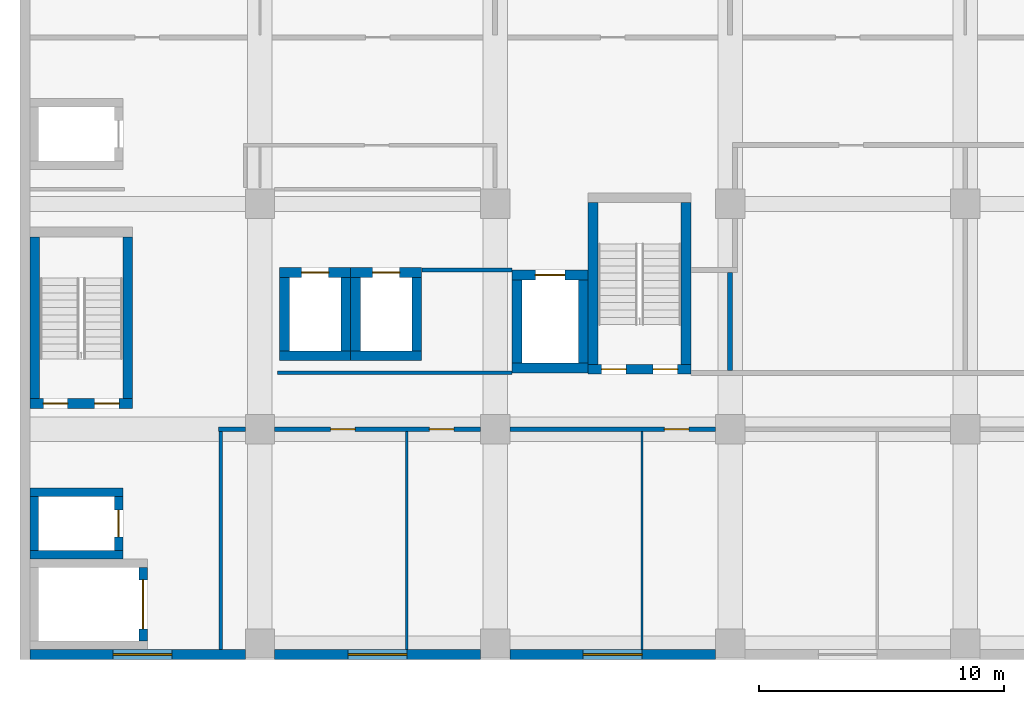
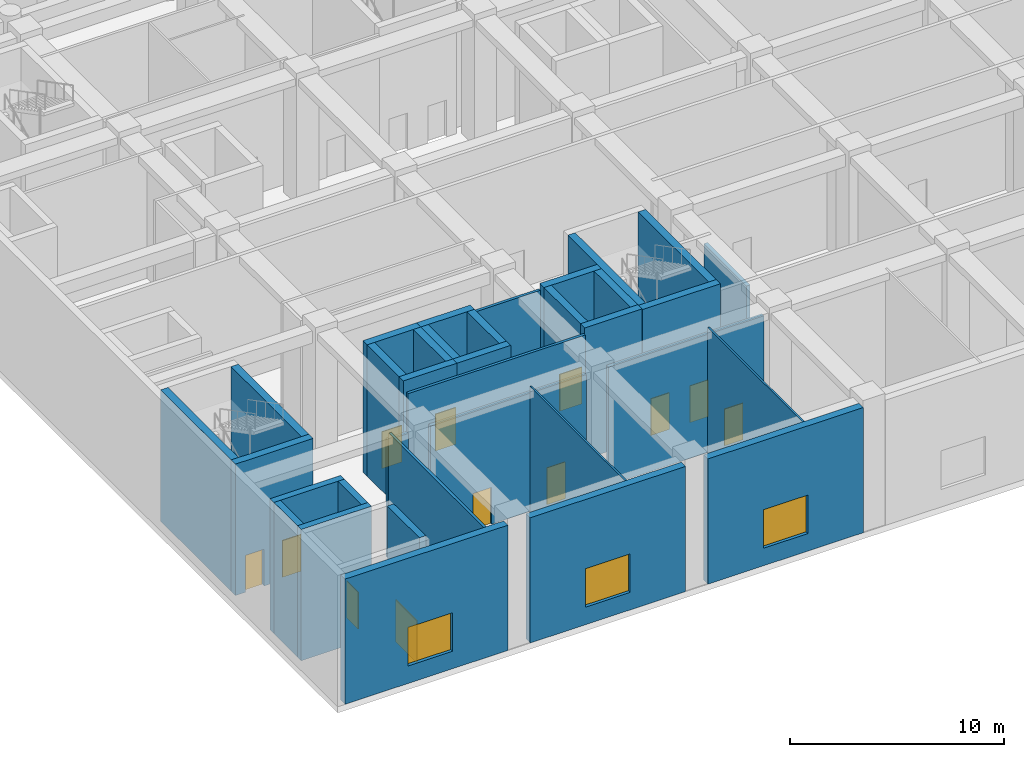
# One storey, part 13 of 36: 35 walls, 12 doors, 3 windows, 15 openings.
"""IFC4 building model written with IfcOpenShell, lengths in metres."""

from ifc_helpers import new_model, si_unit, direction, frame, frame_2d, origin, place, context, subcontext, project, spatial, rectangle, extrude, material, layer, layer_set, layer_usage, type_object, element, fill, save


model = new_model("IFC4")

# Units and contexts
model_context = context("Model", 3, precision=1e-05, world=origin(), true_north=direction((0.0, 1.0)))
body_context = subcontext(model_context, "Body", "Model", "MODEL_VIEW")
ifc_project = project(units=[si_unit("LENGTHUNIT", "METRE"), si_unit("AREAUNIT", "SQUARE_METRE"), si_unit("VOLUMEUNIT", "CUBIC_METRE"), si_unit("PLANEANGLEUNIT", "RADIAN"), si_unit("MASSUNIT", "GRAM", prefix="KILO")], contexts=[model_context])

# Site, building, storey
site_placement = place(None, origin())
site = spatial("IfcSite", under=ifc_project, at=site_placement, CompositionType="ELEMENT")
building_placement = place(site_placement, origin())
building = spatial("IfcBuilding", under=site, at=building_placement, Name="Nzadi Deep Aquarium and Research Tower", CompositionType="ELEMENT")
storey_placement = place(building_placement, frame((0.0, 0.0, 14.199951171875)))
storey = spatial("IfcBuildingStorey", under=building, at=storey_placement, Name="L02", CompositionType="ELEMENT", Elevation=14.199951171875)

# Walls
ifc_material_1 = material(Name="Blockwork masonry", Category="masonry")
ifc_layer_1 = layer(ifc_material_1, 0.10009765625)
ifc_layer_set_1 = layer_set([ifc_layer_1], Name="Blockwork masonry")
wall_type_1 = type_object("IfcWallType", Name="Partition 100 EI 30, 7.15 m high", PredefinedType="PARTITIONING", material=ifc_layer_set_1)
for number, where, z_axis, x_axis, name in (
    (1, (15.60009765625, 0.2060546875, 0.0), (0.0, 0.0, 1.0), (0.0, 1.0, 0.0), "W-Z1-L02-P022"),
    (2, (25.199951171875, 0.2060546875, 0.0), (0.0, 0.0, 1.0), (0.0, 1.0, 0.0), "W-Z1-L02-P030"),
):
    element("IfcWall", number, at=place(storey_placement, frame(where, z_axis=z_axis, x_axis=x_axis)), inside=storey, type_object=wall_type_1, Name=name, PredefinedType="PARTITIONING", context=body_context, shape_type="SweptSolid", body=[
        extrude(rectangle(XDim=8.89404296875, YDim=0.10009765625, at=frame_2d((4.447021484375, 0.0))), origin(), (0.0, 0.0, 1.0), 7.150146484375),
    ])
ifc_material_2 = material(Name="Blockwork masonry", Category="masonry")
ifc_layer_2 = layer(ifc_material_2, 0.14990234375)
ifc_layer_set_2 = layer_set([ifc_layer_2], Name="Blockwork masonry")
wall_type_2 = type_object("IfcWallType", Name="Partition 150 EI 60", PredefinedType="PARTITIONING", material=ifc_layer_set_2)
wall_1_placement = place(storey_placement, frame((8.0, 0.2060546875, 0.0), z_axis=(0.0, 0.0, 1.0), x_axis=(0.0, 1.0, 0.0)))
element("IfcWall", 3, at=wall_1_placement, inside=storey, type_object=wall_type_2, Name="W-Z1-L02-P006", PredefinedType="PARTITIONING", context=body_context, shape_type="SweptSolid", body=[
    extrude(rectangle(XDim=8.89404296875, YDim=0.14990234375, at=frame_2d((4.447021484375, 0.0))), origin(), (0.0, 0.0, 1.0), 7.150146484375),
])
wall_2_placement = place(storey_placement, frame((10.324951171875, 11.5, 0.0), z_axis=(0.0, 0.0, 1.0), x_axis=(1.0, 0.0, 0.0)))
element("IfcWall", 4, at=wall_2_placement, inside=storey, type_object=wall_type_2, Name="W-Z1-L02-P019", PredefinedType="PARTITIONING", context=body_context, shape_type="SweptSolid", body=[
    extrude(rectangle(XDim=9.569091796875, YDim=0.14990234375, at=frame_2d((4.78466796875, 0.0))), origin(), (0.0, 0.0, 1.0), 7.150146484375),
])
wall_3_placement = place(storey_placement, frame((16.2060546875, 15.699951171875, 0.0), z_axis=(0.0, 0.0, 1.0), x_axis=(1.0, 0.0, 0.0)))
element("IfcWall", 5, at=wall_3_placement, inside=storey, type_object=wall_type_2, Name="W-Z1-L02-P023", PredefinedType="PARTITIONING", context=body_context, shape_type="SweptSolid", body=[
    extrude(rectangle(XDim=3.68798828125, YDim=0.14990234375, at=frame_2d((1.843994140625, 0.0))), origin(), (0.0, 0.0, 1.0), 7.150146484375),
])
ifc_material_3 = material(Name="Blockwork masonry", Category="masonry")
ifc_layer_3 = layer(ifc_material_3, 0.199951171875)
ifc_layer_set_3 = layer_set([ifc_layer_3], Name="Blockwork masonry")
wall_type_3 = type_object("IfcWallType", Name="Partition 200 EI 120, 6.75 m high", PredefinedType="PARTITIONING", material=ifc_layer_set_3)
wall_4_placement = place(storey_placement, frame((7.89990234375, 9.199951171875, 0.0), z_axis=(0.0, 0.0, 1.0), x_axis=(1.0, 0.0, 0.0)))
element("IfcWall", 6, at=wall_4_placement, inside=storey, type_object=wall_type_3, Name="W-Z1-L02-P004", PredefinedType="PARTITIONING", context=body_context, shape_type="SweptSolid", body=[
    extrude(rectangle(XDim=1.10009765625, YDim=0.199951171875, at=frame_2d((0.550048828125, 0.0))), origin(), (0.0, 0.0, 1.0), 6.75),
])

# Wall, openings, doors
wall_5_placement = place(storey_placement, frame((10.199951171875, 9.199951171875, 0.0), z_axis=(0.0, 0.0, 1.0), x_axis=(1.0, 0.0, 0.0)))
wall_5 = element("IfcWall", 7, at=wall_5_placement, inside=storey, type_object=wall_type_3, Name="W-Z1-L02-P016", PredefinedType="PARTITIONING", context=body_context, shape_type="SweptSolid", body=[
    extrude(rectangle(XDim=8.400146484375, YDim=0.199951171875, at=frame_2d((4.2001953125, 0.0))), origin(), (0.0, 0.0, 1.0), 6.75),
])
opening_1_placement = place(wall_5_placement, frame((2.284912109375, 0.0, 0.0)))
opening_1 = element("IfcOpeningElement", 8, at=opening_1_placement, cuts=wall_5, Name="Opening D031011", PredefinedType="OPENING", context=body_context, shape_type="SweptSolid", body=[
    extrude(rectangle(XDim=1.0, YDim=2.10009765625, at=frame_2d((0.5, 1.050048828125))), frame((0.0, 0.110107421875, 0.0), z_axis=(0.0, -1.0, 0.0), x_axis=(1.0, 0.0, 0.0)), (0.0, 0.0, 1.0), 0.22021484375),
])
opening_2_placement = place(wall_5_placement, frame((6.31494140625, 0.0, 0.0)))
opening_2 = element("IfcOpeningElement", 9, at=opening_2_placement, cuts=wall_5, Name="Opening D031012", PredefinedType="OPENING", context=body_context, shape_type="SweptSolid", body=[
    extrude(rectangle(XDim=1.0, YDim=2.10009765625, at=frame_2d((0.5, 1.050048828125))), frame((0.0, 0.110107421875, 0.0), z_axis=(0.0, -1.0, 0.0), x_axis=(1.0, 0.0, 0.0)), (0.0, 0.0, 1.0), 0.22021484375),
])
ifc_material_4 = material(Name="Fire-rated steel door", Category="steel")
ifc_layer_4 = layer(ifc_material_4, 0.050048828125)
ifc_layer_set_4 = layer_set([ifc_layer_4], Name="Fire-rated steel door")
door_type_1 = type_object("IfcDoorType", Name="Door 1000x2100 EI 120 single", OperationType="SINGLE_SWING_LEFT", PredefinedType="DOOR", material=ifc_layer_set_4)
door_1_placement = place(opening_1_placement, origin())
door_1 = element("IfcDoor", 10, at=door_1_placement, inside=storey, type_object=door_type_1, Name="D031011", OperationType="SINGLE_SWING_RIGHT", OverallHeight=2.10009765625, OverallWidth=1.0, PredefinedType="DOOR", context=body_context, shape_type="SweptSolid", body=[
    extrude(rectangle(XDim=1.0, YDim=2.10009765625, at=frame_2d((0.5, 1.050048828125))), frame((0.0, 0.02490234375, 0.0), z_axis=(0.0, -1.0, 0.0), x_axis=(1.0, 0.0, 0.0)), (0.0, 0.0, 1.0), 0.050048828125),
])
fill(opening_1, door_1)
door_2_placement = place(opening_2_placement, origin())
door_2 = element("IfcDoor", 11, at=door_2_placement, inside=storey, type_object=door_type_1, Name="D031012", OperationType="SINGLE_SWING_LEFT", OverallHeight=2.10009765625, OverallWidth=1.0, PredefinedType="DOOR", context=body_context, shape_type="SweptSolid", body=[
    extrude(rectangle(XDim=1.0, YDim=2.10009765625, at=frame_2d((0.5, 1.050048828125))), frame((0.0, 0.02490234375, 0.0), z_axis=(0.0, -1.0, 0.0), x_axis=(1.0, 0.0, 0.0)), (0.0, 0.0, 1.0), 0.050048828125),
])
fill(opening_2, door_2)

# Wall, opening, door
wall_6_placement = place(storey_placement, frame((19.800048828125, 9.199951171875, 0.0), z_axis=(0.0, 0.0, 1.0), x_axis=(1.0, 0.0, 0.0)))
wall_6 = element("IfcWall", 12, at=wall_6_placement, inside=storey, type_object=wall_type_3, Name="W-Z1-L02-P028", PredefinedType="PARTITIONING", context=body_context, shape_type="SweptSolid", body=[
    extrude(rectangle(XDim=8.39990234375, YDim=0.199951171875, at=frame_2d((4.199951171875, 0.0))), origin(), (0.0, 0.0, 1.0), 6.75),
])
opening_3_placement = place(wall_6_placement, frame((6.31494140625, 0.0, 0.0)))
opening_3 = element("IfcOpeningElement", 13, at=opening_3_placement, cuts=wall_6, Name="Opening D031013", PredefinedType="OPENING", context=body_context, shape_type="SweptSolid", body=[
    extrude(rectangle(XDim=1.0, YDim=2.10009765625, at=frame_2d((0.5, 1.050048828125))), frame((0.0, 0.110107421875, 0.0), z_axis=(0.0, -1.0, 0.0), x_axis=(1.0, 0.0, 0.0)), (0.0, 0.0, 1.0), 0.22021484375),
])
door_3_placement = place(opening_3_placement, origin())
door_3 = element("IfcDoor", 14, at=door_3_placement, inside=storey, type_object=door_type_1, Name="D031013", OperationType="SINGLE_SWING_LEFT", OverallHeight=2.10009765625, OverallWidth=1.0, PredefinedType="DOOR", context=body_context, shape_type="SweptSolid", body=[
    extrude(rectangle(XDim=1.0, YDim=2.10009765625, at=frame_2d((0.5, 1.050048828125))), frame((0.0, 0.02490234375, 0.0), z_axis=(0.0, -1.0, 0.0), x_axis=(1.0, 0.0, 0.0)), (0.0, 0.0, 1.0), 0.050048828125),
])
fill(opening_3, door_3)

# Wall
wall_7_placement = place(storey_placement, frame((28.800048828125, 11.60009765625, 0.0), z_axis=(0.0, 0.0, 1.0), x_axis=(0.0, 1.0, 0.0)))
element("IfcWall", 15, at=wall_7_placement, inside=storey, type_object=wall_type_3, Name="W-Z1-L02-P035", PredefinedType="PARTITIONING", context=body_context, shape_type="SweptSolid", body=[
    extrude(rectangle(XDim=4.0, YDim=0.199951171875, at=frame_2d((2.0, 0.0))), origin(), (0.0, 0.0, 1.0), 6.75),
])

# Wall, opening, door
ifc_material_5 = material(Name="Concrete C35/45", Category="concrete")
ifc_layer_5 = layer(ifc_material_5, 0.35009765625)
ifc_layer_set_5 = layer_set([ifc_layer_5], Name="Concrete C35/45")
wall_type_4 = type_object("IfcWallType", Name="RC core wall 350, 7.50 to 7.70 m high", PredefinedType="SHEAR", material=ifc_layer_set_5)
wall_8_placement = place(storey_placement, frame((4.824951171875, 0.550048828125, 0.0), z_axis=(0.0, 0.0, 1.0), x_axis=(0.0, 1.0, 0.0)))
wall_8 = element("IfcWall", 16, at=wall_8_placement, inside=storey, type_object=wall_type_4, Name="W-CORE-GL1-L02-E", PredefinedType="SHEAR", context=body_context, shape_type="SweptSolid", body=[
    extrude(rectangle(XDim=3.0, YDim=0.35009765625, at=frame_2d((1.5, 0.0))), origin(), (0.0, 0.0, 1.0), 7.5),
])
opening_4_placement = place(wall_8_placement, frame((0.5, 0.0, 0.0)))
opening_4 = element("IfcOpeningElement", 17, at=opening_4_placement, cuts=wall_8, Name="Opening LD-GL1-L02", PredefinedType="OPENING", context=body_context, shape_type="SweptSolid", body=[
    extrude(rectangle(XDim=2.0, YDim=2.39990234375, at=frame_2d((1.0, 1.199951171875))), frame((0.0, 0.18505859375, 0.0), z_axis=(0.0, -1.0, 0.0), x_axis=(1.0, 0.0, 0.0)), (0.0, 0.0, 1.0), 0.3701171875),
])
ifc_material_6 = material(Name="Stainless steel 1.4301", Category="steel")
door_type_2 = type_object("IfcDoorType", Name="LANDING DOOR 2000x2400", OperationType="DOUBLE_DOOR_SLIDING", PredefinedType="DOOR", material=ifc_material_6)
door_4_placement = place(opening_4_placement, origin())
door_4 = element("IfcDoor", 18, at=door_4_placement, inside=storey, type_object=door_type_2, Name="Landing door GL1 L02", OperationType="DOUBLE_DOOR_SLIDING", OverallHeight=2.39990234375, OverallWidth=2.0, PredefinedType="DOOR", context=body_context, shape_type="SweptSolid", body=[
    extrude(rectangle(XDim=2.0, YDim=2.39990234375, at=frame_2d((1.0, 1.199951171875))), frame((0.0, 0.02490234375, 0.0), z_axis=(0.0, -1.0, 0.0), x_axis=(1.0, 0.0, 0.0)), (0.0, 0.0, 1.0), 0.050048828125),
])
fill(opening_4, door_4)

# Walls
for number, where, z_axis, x_axis, name in (
    (19, (0.199951171875, 4.074951171875, 0.0), (0.0, 0.0, 1.0), (1.0, 0.0, 0.0), "W-CORE-EL1-L02-S"),
    (20, (0.199951171875, 6.625, 0.0), (0.0, 0.0, 1.0), (1.0, 0.0, 0.0), "W-CORE-EL1-L02-N"),
):
    element("IfcWall", number, at=place(storey_placement, frame(where, z_axis=z_axis, x_axis=x_axis)), inside=storey, type_object=wall_type_4, Name=name, PredefinedType="SHEAR", context=body_context, shape_type="SweptSolid", body=[
        extrude(rectangle(XDim=3.800048828125, YDim=0.35009765625, at=frame_2d((1.89990234375, 0.0))), origin(), (0.0, 0.0, 1.0), 7.5),
    ])
wall_9_placement = place(storey_placement, frame((0.375, 4.25, 0.0), z_axis=(0.0, 0.0, 1.0), x_axis=(0.0, 1.0, 0.0)))
element("IfcWall", 21, at=wall_9_placement, inside=storey, type_object=wall_type_4, Name="W-CORE-EL1-L02-W", PredefinedType="SHEAR", context=body_context, shape_type="SweptSolid", body=[
    extrude(rectangle(XDim=2.199951171875, YDim=0.35009765625, at=frame_2d((1.10009765625, 0.0))), origin(), (0.0, 0.0, 1.0), 7.5),
])

# Wall, opening, door
wall_10_placement = place(storey_placement, frame((3.824951171875, 4.25, 0.0), z_axis=(0.0, 0.0, 1.0), x_axis=(0.0, 1.0, 0.0)))
wall_10 = element("IfcWall", 22, at=wall_10_placement, inside=storey, type_object=wall_type_4, Name="W-CORE-EL1-L02-E", PredefinedType="SHEAR", context=body_context, shape_type="SweptSolid", body=[
    extrude(rectangle(XDim=2.199951171875, YDim=0.35009765625, at=frame_2d((1.10009765625, 0.0))), origin(), (0.0, 0.0, 1.0), 7.5),
])
opening_5_placement = place(wall_10_placement, frame((0.550048828125, 0.0, 0.0)))
opening_5 = element("IfcOpeningElement", 23, at=opening_5_placement, cuts=wall_10, Name="Opening LD-EL1-L02", PredefinedType="OPENING", context=body_context, shape_type="SweptSolid", body=[
    extrude(rectangle(XDim=1.10009765625, YDim=2.10009765625, at=frame_2d((0.550048828125, 1.050048828125))), frame((0.0, 0.18505859375, 0.0), z_axis=(0.0, -1.0, 0.0), x_axis=(1.0, 0.0, 0.0)), (0.0, 0.0, 1.0), 0.3701171875),
])
ifc_material_7 = material(Name="Stainless steel 1.4301", Category="steel")
door_type_3 = type_object("IfcDoorType", Name="LANDING DOOR 1100x2100", OperationType="DOUBLE_DOOR_SLIDING", PredefinedType="DOOR", material=ifc_material_7)
door_5_placement = place(opening_5_placement, origin())
door_5 = element("IfcDoor", 24, at=door_5_placement, inside=storey, type_object=door_type_3, Name="Landing door EL1 L02", OperationType="DOUBLE_DOOR_SLIDING", OverallHeight=2.10009765625, OverallWidth=1.10009765625, PredefinedType="DOOR", context=body_context, shape_type="SweptSolid", body=[
    extrude(rectangle(XDim=1.10009765625, YDim=2.10009765625, at=frame_2d((0.550048828125, 1.050048828125))), frame((0.0, 0.02490234375, 0.0), z_axis=(0.0, -1.0, 0.0), x_axis=(1.0, 0.0, 0.0)), (0.0, 0.0, 1.0), 0.050048828125),
])
fill(opening_5, door_5)

# Wall, openings, doors
ifc_material_8 = material(Name="Concrete C35/45", Category="concrete")
ifc_layer_6 = layer(ifc_material_8, 0.39990234375)
ifc_layer_set_6 = layer_set([ifc_layer_6], Name="Concrete C35/45")
wall_type_5 = type_object("IfcWallType", Name="RC core wall 400, 7.50 to 7.70 m high", PredefinedType="SHEAR", material=ifc_layer_set_6)
wall_11_placement = place(storey_placement, frame((0.199951171875, 10.25, 0.0), z_axis=(0.0, 0.0, 1.0), x_axis=(1.0, 0.0, 0.0)))
wall_11 = element("IfcWall", 25, at=wall_11_placement, inside=storey, type_object=wall_type_5, Name="W-CORE-ST-Z1-SW-L02-S", PredefinedType="SHEAR", context=body_context, shape_type="SweptSolid", body=[
    extrude(rectangle(XDim=4.199951171875, YDim=0.39990234375, at=frame_2d((2.10009765625, 0.0))), origin(), (0.0, 0.0, 1.0), 7.5),
])
opening_6_placement = place(wall_11_placement, frame((0.550048828125, 0.0, 0.0)))
opening_6 = element("IfcOpeningElement", 26, at=opening_6_placement, cuts=wall_11, Name="Opening DS-Z1-SW-L02A", PredefinedType="OPENING", context=body_context, shape_type="SweptSolid", body=[
    extrude(rectangle(XDim=1.0, YDim=2.10009765625, at=frame_2d((0.5, 1.050048828125))), frame((0.0, 0.2099609375, 0.0), z_axis=(0.0, -1.0, 0.0), x_axis=(1.0, 0.0, 0.0)), (0.0, 0.0, 1.0), 0.419921875),
])
opening_7_placement = place(wall_11_placement, frame((2.64990234375, 0.0, 0.0)))
opening_7 = element("IfcOpeningElement", 27, at=opening_7_placement, cuts=wall_11, Name="Opening DS-Z1-SW-L02B", PredefinedType="OPENING", context=body_context, shape_type="SweptSolid", body=[
    extrude(rectangle(XDim=1.0, YDim=2.10009765625, at=frame_2d((0.5, 1.050048828125))), frame((0.0, 0.2099609375, 0.0), z_axis=(0.0, -1.0, 0.0), x_axis=(1.0, 0.0, 0.0)), (0.0, 0.0, 1.0), 0.419921875),
])
ifc_material_9 = material(Name="Steel, powder coated", Category="steel")
door_type_4 = type_object("IfcDoorType", Name="STAIR DOOR 1000x2100 EI 60", OperationType="SINGLE_SWING_LEFT", PredefinedType="DOOR", material=ifc_material_9)
door_6_placement = place(opening_6_placement, origin())
door_6 = element("IfcDoor", 28, at=door_6_placement, inside=storey, type_object=door_type_4, Name="Stair door ST-Z1-SW L02 A", OperationType="SINGLE_SWING_RIGHT", OverallHeight=2.10009765625, OverallWidth=1.0, PredefinedType="DOOR", context=body_context, shape_type="SweptSolid", body=[
    extrude(rectangle(XDim=1.0, YDim=2.10009765625, at=frame_2d((0.5, 1.050048828125))), frame((0.0, 0.02490234375, 0.0), z_axis=(0.0, -1.0, 0.0), x_axis=(1.0, 0.0, 0.0)), (0.0, 0.0, 1.0), 0.050048828125),
])
fill(opening_6, door_6)
door_7_placement = place(opening_7_placement, origin())
door_7 = element("IfcDoor", 29, at=door_7_placement, inside=storey, type_object=door_type_4, Name="Stair door ST-Z1-SW L02 B", OperationType="SINGLE_SWING_LEFT", OverallHeight=2.10009765625, OverallWidth=1.0, PredefinedType="DOOR", context=body_context, shape_type="SweptSolid", body=[
    extrude(rectangle(XDim=1.0, YDim=2.10009765625, at=frame_2d((0.5, 1.050048828125))), frame((0.0, 0.02490234375, 0.0), z_axis=(0.0, -1.0, 0.0), x_axis=(1.0, 0.0, 0.0)), (0.0, 0.0, 1.0), 0.050048828125),
])
fill(opening_7, door_7)

# Walls
for number, where, z_axis, x_axis, name in (
    (30, (0.39990234375, 10.449951171875, 0.0), (0.0, 0.0, 1.0), (0.0, 1.0, 0.0), "W-CORE-ST-Z1-SW-L02-W"),
    (31, (4.199951171875, 10.449951171875, 0.0), (0.0, 0.0, 1.0), (0.0, 1.0, 0.0), "W-CORE-ST-Z1-SW-L02-E"),
):
    element("IfcWall", number, at=place(storey_placement, frame(where, z_axis=z_axis, x_axis=x_axis)), inside=storey, type_object=wall_type_5, Name=name, PredefinedType="SHEAR", context=body_context, shape_type="SweptSolid", body=[
        extrude(rectangle(XDim=6.60009765625, YDim=0.39990234375, at=frame_2d((3.300048828125, 0.0))), origin(), (0.0, 0.0, 1.0), 7.5),
    ])

# Wall, openings, doors
wall_12_placement = place(storey_placement, frame((23.0, 11.64990234375, 0.0), z_axis=(0.0, 0.0, 1.0), x_axis=(1.0, 0.0, 0.0)))
wall_12 = element("IfcWall", 32, at=wall_12_placement, inside=storey, type_object=wall_type_5, Name="W-CORE-ST-Z1-SE-L02-S", PredefinedType="SHEAR", context=body_context, shape_type="SweptSolid", body=[
    extrude(rectangle(XDim=4.199951171875, YDim=0.39990234375, at=frame_2d((2.10009765625, 0.0))), origin(), (0.0, 0.0, 1.0), 7.5),
])
opening_8_placement = place(wall_12_placement, frame((0.550048828125, 0.0, 0.0)))
opening_8 = element("IfcOpeningElement", 33, at=opening_8_placement, cuts=wall_12, Name="Opening DS-Z1-SE-L02A", PredefinedType="OPENING", context=body_context, shape_type="SweptSolid", body=[
    extrude(rectangle(XDim=1.0, YDim=2.10009765625, at=frame_2d((0.5, 1.050048828125))), frame((0.0, 0.2099609375, 0.0), z_axis=(0.0, -1.0, 0.0), x_axis=(1.0, 0.0, 0.0)), (0.0, 0.0, 1.0), 0.419921875),
])
opening_9_placement = place(wall_12_placement, frame((2.64990234375, 0.0, 0.0)))
opening_9 = element("IfcOpeningElement", 34, at=opening_9_placement, cuts=wall_12, Name="Opening DS-Z1-SE-L02B", PredefinedType="OPENING", context=body_context, shape_type="SweptSolid", body=[
    extrude(rectangle(XDim=1.0, YDim=2.10009765625, at=frame_2d((0.5, 1.050048828125))), frame((0.0, 0.2099609375, 0.0), z_axis=(0.0, -1.0, 0.0), x_axis=(1.0, 0.0, 0.0)), (0.0, 0.0, 1.0), 0.419921875),
])
door_8_placement = place(opening_8_placement, origin())
door_8 = element("IfcDoor", 35, at=door_8_placement, inside=storey, type_object=door_type_4, Name="Stair door ST-Z1-SE L02 A", OperationType="SINGLE_SWING_RIGHT", OverallHeight=2.10009765625, OverallWidth=1.0, PredefinedType="DOOR", context=body_context, shape_type="SweptSolid", body=[
    extrude(rectangle(XDim=1.0, YDim=2.10009765625, at=frame_2d((0.5, 1.050048828125))), frame((0.0, 0.02490234375, 0.0), z_axis=(0.0, -1.0, 0.0), x_axis=(1.0, 0.0, 0.0)), (0.0, 0.0, 1.0), 0.050048828125),
])
fill(opening_8, door_8)
door_9_placement = place(opening_9_placement, origin())
door_9 = element("IfcDoor", 36, at=door_9_placement, inside=storey, type_object=door_type_4, Name="Stair door ST-Z1-SE L02 B", OperationType="SINGLE_SWING_LEFT", OverallHeight=2.10009765625, OverallWidth=1.0, PredefinedType="DOOR", context=body_context, shape_type="SweptSolid", body=[
    extrude(rectangle(XDim=1.0, YDim=2.10009765625, at=frame_2d((0.5, 1.050048828125))), frame((0.0, 0.02490234375, 0.0), z_axis=(0.0, -1.0, 0.0), x_axis=(1.0, 0.0, 0.0)), (0.0, 0.0, 1.0), 0.050048828125),
])
fill(opening_9, door_9)

# Walls
for number, where, z_axis, x_axis, name in (
    (37, (23.199951171875, 11.85009765625, 0.0), (0.0, 0.0, 1.0), (0.0, 1.0, 0.0), "W-CORE-ST-Z1-SE-L02-W"),
    (38, (27.0, 11.85009765625, 0.0), (0.0, 0.0, 1.0), (0.0, 1.0, 0.0), "W-CORE-ST-Z1-SE-L02-E"),
):
    element("IfcWall", number, at=place(storey_placement, frame(where, z_axis=z_axis, x_axis=x_axis)), inside=storey, type_object=wall_type_5, Name=name, PredefinedType="SHEAR", context=body_context, shape_type="SweptSolid", body=[
        extrude(rectangle(XDim=6.599853515625, YDim=0.39990234375, at=frame_2d((3.2998046875, 0.0))), origin(), (0.0, 0.0, 1.0), 7.5),
    ])
wall_13_placement = place(storey_placement, frame((10.39990234375, 12.199951171875, 0.0), z_axis=(0.0, 0.0, 1.0), x_axis=(1.0, 0.0, 0.0)))
element("IfcWall", 39, at=wall_13_placement, inside=storey, type_object=wall_type_5, Name="W-CORE-TL1-L02-S", PredefinedType="SHEAR", context=body_context, shape_type="SweptSolid", body=[
    extrude(rectangle(XDim=2.900146484375, YDim=0.39990234375, at=frame_2d((1.4501953125, 0.0))), origin(), (0.0, 0.0, 1.0), 7.5),
])

# Wall, opening, door
wall_14_placement = place(storey_placement, frame((10.39990234375, 15.60009765625, 0.0), z_axis=(0.0, 0.0, 1.0), x_axis=(1.0, 0.0, 0.0)))
wall_14 = element("IfcWall", 40, at=wall_14_placement, inside=storey, type_object=wall_type_5, Name="W-CORE-TL1-L02-N", PredefinedType="SHEAR", context=body_context, shape_type="SweptSolid", body=[
    extrude(rectangle(XDim=2.900146484375, YDim=0.39990234375, at=frame_2d((1.4501953125, 0.0))), origin(), (0.0, 0.0, 1.0), 7.5),
])
opening_10_placement = place(wall_14_placement, frame((0.89990234375, 0.0, 0.0)))
opening_10 = element("IfcOpeningElement", 41, at=opening_10_placement, cuts=wall_14, Name="Opening LD-TL1-L02", PredefinedType="OPENING", context=body_context, shape_type="SweptSolid", body=[
    extrude(rectangle(XDim=1.10009765625, YDim=2.10009765625, at=frame_2d((0.550048828125, 1.050048828125))), frame((0.0, 0.2099609375, 0.0), z_axis=(0.0, -1.0, 0.0), x_axis=(1.0, 0.0, 0.0)), (0.0, 0.0, 1.0), 0.419921875),
])
door_10_placement = place(opening_10_placement, origin())
door_10 = element("IfcDoor", 42, at=door_10_placement, inside=storey, type_object=door_type_3, Name="Landing door TL1 L02", OperationType="DOUBLE_DOOR_SLIDING", OverallHeight=2.10009765625, OverallWidth=1.10009765625, PredefinedType="DOOR", context=body_context, shape_type="SweptSolid", body=[
    extrude(rectangle(XDim=1.10009765625, YDim=2.10009765625, at=frame_2d((0.550048828125, 1.050048828125))), frame((0.0, 0.02490234375, 0.0), z_axis=(0.0, -1.0, 0.0), x_axis=(1.0, 0.0, 0.0)), (0.0, 0.0, 1.0), 0.050048828125),
])
fill(opening_10, door_10)

# Walls
for number, where, z_axis, x_axis, name in (
    (43, (10.60009765625, 12.39990234375, 0.0), (0.0, 0.0, 1.0), (0.0, 1.0, 0.0), "W-CORE-TL1-L02-W"),
    (44, (13.10009765625, 12.39990234375, 0.0), (0.0, 0.0, 1.0), (0.0, 1.0, 0.0), "W-CORE-TL1-L02-E"),
):
    element("IfcWall", number, at=place(storey_placement, frame(where, z_axis=z_axis, x_axis=x_axis)), inside=storey, type_object=wall_type_5, Name=name, PredefinedType="SHEAR", context=body_context, shape_type="SweptSolid", body=[
        extrude(rectangle(XDim=3.0, YDim=0.39990234375, at=frame_2d((1.5, 0.0))), origin(), (0.0, 0.0, 1.0), 7.5),
    ])
wall_15_placement = place(storey_placement, frame((13.300048828125, 12.199951171875, 0.0), z_axis=(0.0, 0.0, 1.0), x_axis=(1.0, 0.0, 0.0)))
element("IfcWall", 45, at=wall_15_placement, inside=storey, type_object=wall_type_5, Name="W-CORE-TL2-L02-S", PredefinedType="SHEAR", context=body_context, shape_type="SweptSolid", body=[
    extrude(rectangle(XDim=2.89990234375, YDim=0.39990234375, at=frame_2d((1.449951171875, 0.0))), origin(), (0.0, 0.0, 1.0), 7.5),
])

# Wall, opening, door
wall_16_placement = place(storey_placement, frame((13.300048828125, 15.60009765625, 0.0), z_axis=(0.0, 0.0, 1.0), x_axis=(1.0, 0.0, 0.0)))
wall_16 = element("IfcWall", 46, at=wall_16_placement, inside=storey, type_object=wall_type_5, Name="W-CORE-TL2-L02-N", PredefinedType="SHEAR", context=body_context, shape_type="SweptSolid", body=[
    extrude(rectangle(XDim=2.89990234375, YDim=0.39990234375, at=frame_2d((1.449951171875, 0.0))), origin(), (0.0, 0.0, 1.0), 7.5),
])
opening_11_placement = place(wall_16_placement, frame((0.89990234375, 0.0, 0.0)))
opening_11 = element("IfcOpeningElement", 47, at=opening_11_placement, cuts=wall_16, Name="Opening LD-TL2-L02", PredefinedType="OPENING", context=body_context, shape_type="SweptSolid", body=[
    extrude(rectangle(XDim=1.10009765625, YDim=2.10009765625, at=frame_2d((0.550048828125, 1.050048828125))), frame((0.0, 0.2099609375, 0.0), z_axis=(0.0, -1.0, 0.0), x_axis=(1.0, 0.0, 0.0)), (0.0, 0.0, 1.0), 0.419921875),
])
door_11_placement = place(opening_11_placement, origin())
door_11 = element("IfcDoor", 48, at=door_11_placement, inside=storey, type_object=door_type_3, Name="Landing door TL2 L02", OperationType="DOUBLE_DOOR_SLIDING", OverallHeight=2.10009765625, OverallWidth=1.10009765625, PredefinedType="DOOR", context=body_context, shape_type="SweptSolid", body=[
    extrude(rectangle(XDim=1.10009765625, YDim=2.10009765625, at=frame_2d((0.550048828125, 1.050048828125))), frame((0.0, 0.02490234375, 0.0), z_axis=(0.0, -1.0, 0.0), x_axis=(1.0, 0.0, 0.0)), (0.0, 0.0, 1.0), 0.050048828125),
])
fill(opening_11, door_11)

# Walls
for number, where, z_axis, x_axis, name in (
    (49, (13.5, 12.39990234375, 0.0), (0.0, 0.0, 1.0), (0.0, 1.0, 0.0), "W-CORE-TL2-L02-W"),
    (50, (16.0, 12.39990234375, 0.0), (0.0, 0.0, 1.0), (0.0, 1.0, 0.0), "W-CORE-TL2-L02-E"),
):
    element("IfcWall", number, at=place(storey_placement, frame(where, z_axis=z_axis, x_axis=x_axis)), inside=storey, type_object=wall_type_5, Name=name, PredefinedType="SHEAR", context=body_context, shape_type="SweptSolid", body=[
        extrude(rectangle(XDim=3.0, YDim=0.39990234375, at=frame_2d((1.5, 0.0))), origin(), (0.0, 0.0, 1.0), 7.5),
    ])
wall_17_placement = place(storey_placement, frame((19.89990234375, 11.699951171875, 0.0), z_axis=(0.0, 0.0, 1.0), x_axis=(1.0, 0.0, 0.0)))
element("IfcWall", 51, at=wall_17_placement, inside=storey, type_object=wall_type_5, Name="W-CORE-FL1-L02-S", PredefinedType="SHEAR", context=body_context, shape_type="SweptSolid", body=[
    extrude(rectangle(XDim=3.10009765625, YDim=0.39990234375, at=frame_2d((1.550048828125, 0.0))), origin(), (0.0, 0.0, 1.0), 7.5),
])

# Wall, opening, door
wall_18_placement = place(storey_placement, frame((19.89990234375, 15.5, 0.0), z_axis=(0.0, 0.0, 1.0), x_axis=(1.0, 0.0, 0.0)))
wall_18 = element("IfcWall", 52, at=wall_18_placement, inside=storey, type_object=wall_type_5, Name="W-CORE-FL1-L02-N", PredefinedType="SHEAR", context=body_context, shape_type="SweptSolid", body=[
    extrude(rectangle(XDim=3.10009765625, YDim=0.39990234375, at=frame_2d((1.550048828125, 0.0))), origin(), (0.0, 0.0, 1.0), 7.5),
])
opening_12_placement = place(wall_18_placement, frame((0.949951171875, 0.0, 0.0)))
opening_12 = element("IfcOpeningElement", 53, at=opening_12_placement, cuts=wall_18, Name="Opening LD-FL1-L02", PredefinedType="OPENING", context=body_context, shape_type="SweptSolid", body=[
    extrude(rectangle(XDim=1.199951171875, YDim=2.10009765625, at=frame_2d((0.60009765625, 1.050048828125))), frame((0.0, 0.2099609375, 0.0), z_axis=(0.0, -1.0, 0.0), x_axis=(1.0, 0.0, 0.0)), (0.0, 0.0, 1.0), 0.419921875),
])
ifc_material_10 = material(Name="Stainless steel 1.4301", Category="steel")
door_type_5 = type_object("IfcDoorType", Name="LANDING DOOR 1200x2100", OperationType="DOUBLE_DOOR_SLIDING", PredefinedType="DOOR", material=ifc_material_10)
door_12_placement = place(opening_12_placement, origin())
door_12 = element("IfcDoor", 54, at=door_12_placement, inside=storey, type_object=door_type_5, Name="Landing door FL1 L02", OperationType="DOUBLE_DOOR_SLIDING", OverallHeight=2.10009765625, OverallWidth=1.199951171875, PredefinedType="DOOR", context=body_context, shape_type="SweptSolid", body=[
    extrude(rectangle(XDim=1.199951171875, YDim=2.10009765625, at=frame_2d((0.60009765625, 1.050048828125))), frame((0.0, 0.02490234375, 0.0), z_axis=(0.0, -1.0, 0.0), x_axis=(1.0, 0.0, 0.0)), (0.0, 0.0, 1.0), 0.050048828125),
])
fill(opening_12, door_12)

# Walls
for number, where, z_axis, x_axis, name in (
    (55, (20.10009765625, 11.89990234375, 0.0), (0.0, 0.0, 1.0), (0.0, 1.0, 0.0), "W-CORE-FL1-L02-W"),
    (56, (22.800048828125, 11.89990234375, 0.0), (0.0, 0.0, 1.0), (0.0, 1.0, 0.0), "W-CORE-FL1-L02-E"),
):
    element("IfcWall", number, at=place(storey_placement, frame(where, z_axis=z_axis, x_axis=x_axis)), inside=storey, type_object=wall_type_5, Name=name, PredefinedType="SHEAR", context=body_context, shape_type="SweptSolid", body=[
        extrude(rectangle(XDim=3.400146484375, YDim=0.39990234375, at=frame_2d((1.7001953125, 0.0))), origin(), (0.0, 0.0, 1.0), 7.5),
    ])

# Wall, opening, window
ifc_material_11 = material(Name="Concrete C35/45", Category="concrete")
ifc_layer_7 = layer(ifc_material_11, 0.25, Category="cladding")
ifc_material_12 = material(Name="Mineral wool insulation")
ifc_layer_8 = layer(ifc_material_12, 0.10009765625, Category="insulation")
ifc_material_13 = material(Name="Concrete block lining", Category="concrete")
ifc_layer_9 = layer(ifc_material_13, 0.050048828125, Category="lining")
ifc_layer_set_7 = layer_set([ifc_layer_7, ifc_layer_8, ifc_layer_9], Name="Concrete C35/45, Mineral wool insulation, Concrete block lining")
ifc_layer_usage_1 = layer_usage(ifc_layer_set_7, "AXIS2", "POSITIVE", -0.199951171875)
wall_type_6 = type_object("IfcWallType", Name="South end wall board-formed concrete 400", PredefinedType="ELEMENTEDWALL", material=ifc_layer_set_7)
wall_19_placement = place(storey_placement, frame((0.199951171875, 0.0, 0.0), z_axis=(0.0, 0.0, 1.0), x_axis=(1.0, 0.0, 0.0)))
wall_19 = element("IfcWall", 57, at=wall_19_placement, inside=storey, type_object=wall_type_6, material=ifc_layer_usage_1, Name="South end wall L02", PredefinedType="ELEMENTEDWALL", context=body_context, shape_type="SweptSolid", body=[
    extrude(rectangle(XDim=8.800048828125, YDim=0.39990234375, at=frame_2d((4.39990234375, 0.0))), origin(), (0.0, 0.0, 1.0), 7.150146484375),
])
opening_13_placement = place(wall_19_placement, frame((3.39990234375, 0.0, 1.0)))
opening_13 = element("IfcOpeningElement", 58, at=opening_13_placement, cuts=wall_19, Name="Opening WN09", PredefinedType="OPENING", context=body_context, shape_type="SweptSolid", body=[
    extrude(rectangle(XDim=2.39990234375, YDim=2.199951171875, at=frame_2d((1.199951171875, 1.10009765625))), frame((0.0, 0.2099609375, 0.0), z_axis=(0.0, -1.0, 0.0), x_axis=(1.0, 0.0, 0.0)), (0.0, 0.0, 1.0), 0.419921875),
])
ifc_material_14 = material(Name="Aluminium framed glazing", Category="aluminium")
window_type = type_object("IfcWindowType", Name="Punched window 2400x2200 sill 1000", PartitioningType="SINGLE_PANEL", PredefinedType="WINDOW", material=ifc_material_14)
window_1_placement = place(opening_13_placement, origin())
window_1 = element("IfcWindow", 59, at=window_1_placement, inside=storey, type_object=window_type, Name="Podium south face window L02", OverallHeight=2.199951171875, OverallWidth=2.39990234375, PartitioningType="SINGLE_PANEL", PredefinedType="WINDOW", context=body_context, shape_type="SweptSolid", body=[
    extrude(rectangle(XDim=2.39990234375, YDim=2.199951171875, at=frame_2d((1.199951171875, 1.10009765625))), frame((0.0, 0.030029296875, 0.0), z_axis=(0.0, -1.0, 0.0), x_axis=(1.0, 0.0, 0.0)), (0.0, 0.0, 1.0), 0.06005859375),
])
fill(opening_13, window_1)

ifc_layer_usage_2 = layer_usage(ifc_layer_set_7, "AXIS2", "POSITIVE", -0.199951171875)
wall_20_placement = place(storey_placement, frame((10.199951171875, 0.0, 0.0), z_axis=(0.0, 0.0, 1.0), x_axis=(1.0, 0.0, 0.0)))
wall_20 = element("IfcWall", 60, at=wall_20_placement, inside=storey, type_object=wall_type_6, material=ifc_layer_usage_2, Name="South end wall L02", PredefinedType="ELEMENTEDWALL", context=body_context, shape_type="SweptSolid", body=[
    extrude(rectangle(XDim=8.400146484375, YDim=0.39990234375, at=frame_2d((4.2001953125, 0.0))), origin(), (0.0, 0.0, 1.0), 7.150146484375),
])
opening_14_placement = place(wall_20_placement, frame((3.0, 0.0, 1.0)))
opening_14 = element("IfcOpeningElement", 61, at=opening_14_placement, cuts=wall_20, Name="Opening WN09", PredefinedType="OPENING", context=body_context, shape_type="SweptSolid", body=[
    extrude(rectangle(XDim=2.39990234375, YDim=2.199951171875, at=frame_2d((1.199951171875, 1.10009765625))), frame((0.0, 0.2099609375, 0.0), z_axis=(0.0, -1.0, 0.0), x_axis=(1.0, 0.0, 0.0)), (0.0, 0.0, 1.0), 0.419921875),
])
window_2_placement = place(opening_14_placement, origin())
window_2 = element("IfcWindow", 62, at=window_2_placement, inside=storey, type_object=window_type, Name="Podium south face window L02", OverallHeight=2.199951171875, OverallWidth=2.39990234375, PartitioningType="SINGLE_PANEL", PredefinedType="WINDOW", context=body_context, shape_type="SweptSolid", body=[
    extrude(rectangle(XDim=2.39990234375, YDim=2.199951171875, at=frame_2d((1.199951171875, 1.10009765625))), frame((0.0, 0.030029296875, 0.0), z_axis=(0.0, -1.0, 0.0), x_axis=(1.0, 0.0, 0.0)), (0.0, 0.0, 1.0), 0.06005859375),
])
fill(opening_14, window_2)

ifc_layer_usage_3 = layer_usage(ifc_layer_set_7, "AXIS2", "POSITIVE", -0.199951171875)
wall_21_placement = place(storey_placement, frame((19.800048828125, 0.0, 0.0), z_axis=(0.0, 0.0, 1.0), x_axis=(1.0, 0.0, 0.0)))
wall_21 = element("IfcWall", 63, at=wall_21_placement, inside=storey, type_object=wall_type_6, material=ifc_layer_usage_3, Name="South end wall L02", PredefinedType="ELEMENTEDWALL", context=body_context, shape_type="SweptSolid", body=[
    extrude(rectangle(XDim=8.39990234375, YDim=0.39990234375, at=frame_2d((4.199951171875, 0.0))), origin(), (0.0, 0.0, 1.0), 7.150146484375),
])
opening_15_placement = place(wall_21_placement, frame((3.0, 0.0, 1.0)))
opening_15 = element("IfcOpeningElement", 64, at=opening_15_placement, cuts=wall_21, Name="Opening WN09", PredefinedType="OPENING", context=body_context, shape_type="SweptSolid", body=[
    extrude(rectangle(XDim=2.39990234375, YDim=2.199951171875, at=frame_2d((1.199951171875, 1.10009765625))), frame((0.0, 0.2099609375, 0.0), z_axis=(0.0, -1.0, 0.0), x_axis=(1.0, 0.0, 0.0)), (0.0, 0.0, 1.0), 0.419921875),
])
window_3_placement = place(opening_15_placement, origin())
window_3 = element("IfcWindow", 65, at=window_3_placement, inside=storey, type_object=window_type, Name="Podium south face window L02", OverallHeight=2.199951171875, OverallWidth=2.39990234375, PartitioningType="SINGLE_PANEL", PredefinedType="WINDOW", context=body_context, shape_type="SweptSolid", body=[
    extrude(rectangle(XDim=2.39990234375, YDim=2.199951171875, at=frame_2d((1.199951171875, 1.10009765625))), frame((0.0, 0.030029296875, 0.0), z_axis=(0.0, -1.0, 0.0), x_axis=(1.0, 0.0, 0.0)), (0.0, 0.0, 1.0), 0.06005859375),
])
fill(opening_15, window_3)

save(model, "model.ifc")
